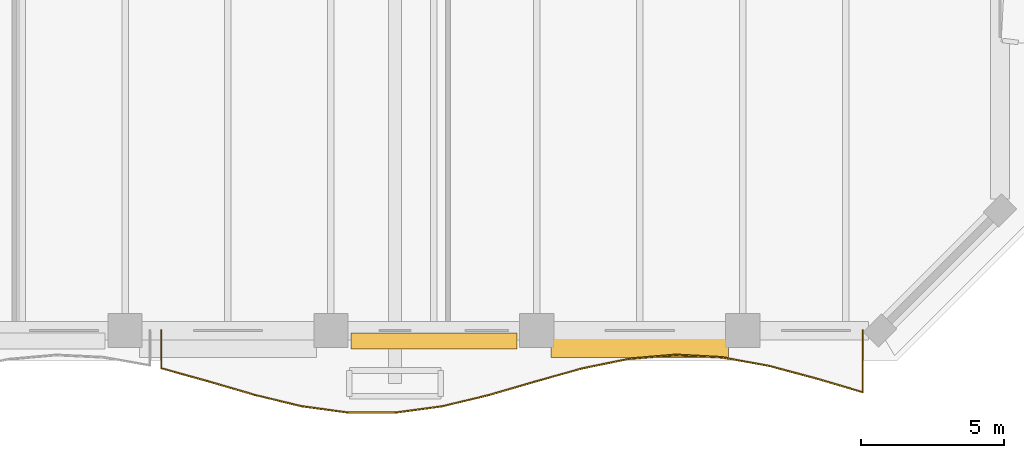
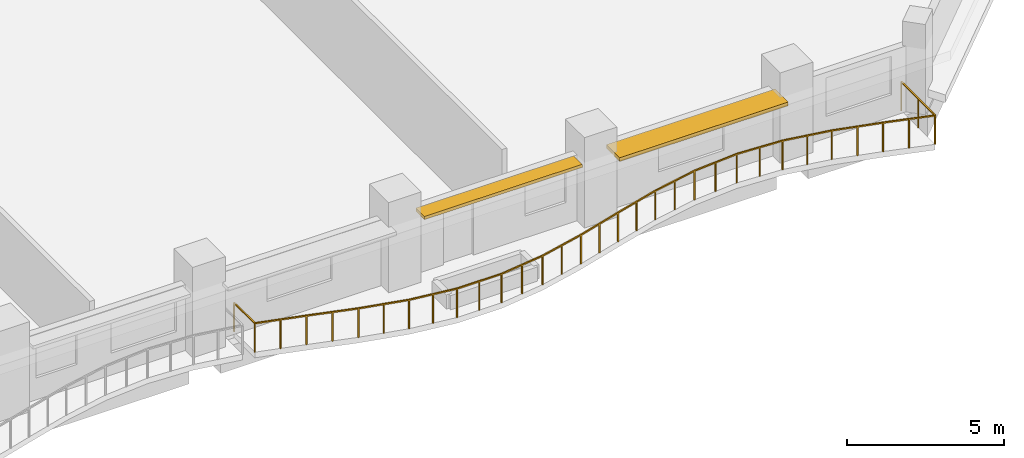
# One storey, part 13 of 14: 2 shading devices, 1 railing.
"""IFC4 building model written with IfcOpenShell, lengths in metres."""

from ifc_helpers import new_model, si_unit, direction, frame, origin, origin_2d, place, context, subcontext, project, spatial, rectangle, extrude, material, layer, layer_set, type_object, element, save


model = new_model("IFC4")

# Units and contexts
model_context = context("Model", 3, precision=1e-05, world=origin(), true_north=direction((0.0, 1.0)))
body_context = subcontext(model_context, "Body", "Model", "MODEL_VIEW")
ifc_project = project(units=[si_unit("LENGTHUNIT", "METRE"), si_unit("AREAUNIT", "SQUARE_METRE"), si_unit("VOLUMEUNIT", "CUBIC_METRE"), si_unit("PLANEANGLEUNIT", "RADIAN"), si_unit("MASSUNIT", "GRAM", prefix="KILO")], contexts=[model_context])

# Site, building, storey
site_placement = place(None, origin())
site = spatial("IfcSite", under=ifc_project, at=site_placement, CompositionType="ELEMENT")
building_placement = place(site_placement, origin())
building = spatial("IfcBuilding", under=site, at=building_placement, Name="Kaelvorn Grand Hotel", CompositionType="ELEMENT")
storey_placement = place(building_placement, frame((0.0, 0.0, 126.800048828125)))
storey = spatial("IfcBuildingStorey", under=building, at=storey_placement, Name="L30", CompositionType="ELEMENT", Elevation=126.800048828125)

# Railing
ifc_material_1 = material(Name="Stainless Steel", Category="steel")
railing_type = type_object("IfcRailingType", Name="RL-BALC-1150", PredefinedType="BALUSTRADE", material=ifc_material_1)
railing_placement = place(storey_placement, frame((54.666748046875, 0.0, 0.0)))
element("IfcRailing", 1, at=railing_placement, inside=storey, type_object=railing_type, Name="L30 Scalloped Wave Balcony Balustrade GR1-3", PredefinedType="BALUSTRADE", context=body_context, shape_type="SweptSolid", body=[
    extrude(rectangle(XDim=0.048095703125, YDim=0.048095703125, at=origin_2d()), frame((0.0, 0.0, 1.1259765625), z_axis=(0.0, -1.0, 0.0), x_axis=(1.0, 0.0, 0.0)), (0.0, 0.0, 1.0), 1.318359375),
    extrude(rectangle(XDim=0.048095703125, YDim=0.048095703125, at=origin_2d()), frame((0.0, -1.318359375, 1.1259765625), z_axis=(0.963251690304, -0.268600411627, 0.0), x_axis=(0.268600411627, 0.963251690304, 0.0)), (0.0, 0.0, 1.0), 1.697998046875),
    extrude(rectangle(XDim=0.048095703125, YDim=0.048095703125, at=origin_2d()), frame((1.635498046875, -1.7744140625, 1.1259765625), z_axis=(0.959763780104, -0.280808629498, 0.0), x_axis=(0.280808629498, 0.959763780104, 0.0)), (0.0, 0.0, 1.0), 1.7041015625),
    extrude(rectangle(XDim=0.048095703125, YDim=0.048095703125, at=origin_2d()), frame((3.27099609375, -2.2529296875, 1.1259765625), z_axis=(0.972148369978, -0.234366266236, 0.0), x_axis=(0.234366266236, 0.972148369978, 0.0)), (0.0, 0.0, 1.0), 1.682373046875),
    extrude(rectangle(XDim=0.048095703125, YDim=0.048095703125, at=origin_2d()), frame((4.906494140625, -2.647216796875, 1.1259765625), z_axis=(0.990842762627, -0.13502081228, 0.0), x_axis=(0.13502081228, 0.990842762627, 0.0)), (0.0, 0.0, 1.0), 1.65087890625),
    extrude(rectangle(XDim=0.048095703125, YDim=0.048095703125, at=origin_2d()), frame((6.542236328125, -2.8701171875, 1.1259765625), z_axis=(0.999999286934, -0.001194207239, 0.0), x_axis=(0.001194207239, 0.999999286934, 0.0)), (0.0, 0.0, 1.0), 1.635498046875),
    extrude(rectangle(XDim=0.048095703125, YDim=0.048095703125, at=origin_2d()), frame((8.177734375, -2.8720703125, 1.1259765625), z_axis=(0.991115126173, 0.133006791824, 0.0), x_axis=(-0.133006791824, 0.991115126173, 0.0)), (0.0, 0.0, 1.0), 1.650146484375),
    extrude(rectangle(XDim=0.048095703125, YDim=0.048095703125, at=origin_2d()), frame((9.813232421875, -2.652587890625, 1.1259765625), z_axis=(0.972412331171, 0.233268639527, 0.0), x_axis=(-0.233268639527, 0.972412331171, 0.0)), (0.0, 0.0, 1.0), 1.681884765625),
    extrude(rectangle(XDim=0.048095703125, YDim=0.048095703125, at=origin_2d()), frame((11.44873046875, -2.26025390625, 1.1259765625), z_axis=(0.959890814744, 0.280374078277, 0.0), x_axis=(-0.280374078277, 0.959890814744, 0.0)), (0.0, 0.0, 1.0), 1.7041015625),
    extrude(rectangle(XDim=0.048095703125, YDim=0.048095703125, at=origin_2d()), frame((13.08447265625, -1.782470703125, 1.1259765625), z_axis=(0.963065481096, 0.269267300506, 0.0), x_axis=(-0.269267300506, 0.963065481096, 0.0)), (0.0, 0.0, 1.0), 1.6982421875),
    extrude(rectangle(XDim=0.048095703125, YDim=0.048095703125, at=origin_2d()), frame((14.719970703125, -1.3251953125, 1.1259765625), z_axis=(0.979635901777, 0.200782220203, 0.0), x_axis=(-0.200782220203, 0.979635901777, 0.0)), (0.0, 0.0, 1.0), 1.66943359375),
    extrude(rectangle(XDim=0.048095703125, YDim=0.048095703125, at=origin_2d()), frame((16.35546875, -0.989990234375, 1.1259765625), z_axis=(0.996424697857, 0.084485628957, 0.0), x_axis=(-0.084485628957, 0.996424697857, 0.0)), (0.0, 0.0, 1.0), 1.641357421875),
    extrude(rectangle(XDim=0.048095703125, YDim=0.048095703125, at=origin_2d()), frame((17.990966796875, -0.851318359375, 1.1259765625), z_axis=(0.998527034958, -0.054256432412, 0.0), x_axis=(0.054256432412, 0.998527034958, 0.0)), (0.0, 0.0, 1.0), 1.637939453125),
    extrude(rectangle(XDim=0.048095703125, YDim=0.048095703125, at=origin_2d()), frame((19.62646484375, -0.940185546875, 1.1259765625), z_axis=(0.983977821186, -0.178290906704, 0.0), x_axis=(0.178290906704, 0.983977821186, 0.0)), (0.0, 0.0, 1.0), 1.662353515625),
    extrude(rectangle(XDim=0.048095703125, YDim=0.048095703125, at=origin_2d()), frame((21.26220703125, -1.236572265625, 1.1259765625), z_axis=(0.965925524936, -0.258820169766, 0.0), x_axis=(0.258820169766, 0.965925524936, 0.0)), (0.0, 0.0, 1.0), 1.693115234375),
    extrude(rectangle(XDim=0.048095703125, YDim=0.048095703125, at=origin_2d()), frame((22.897705078125, -1.6748046875, 1.1259765625), z_axis=(0.959105197492, -0.283049854522, 0.0), x_axis=(0.283049854522, 0.959105197492, 0.0)), (0.0, 0.0, 1.0), 1.705322265625),
    extrude(rectangle(XDim=0.048095703125, YDim=0.048095703125, at=origin_2d()), frame((24.533203125, -2.157470703125, 1.1259765625), z_axis=(0.0, 1.0, 0.0), x_axis=(-1.0, 0.0, 0.0)), (0.0, 0.0, 1.0), 2.157470703125),
    extrude(rectangle(XDim=0.0419921875, YDim=0.0419921875, at=origin_2d()), origin(), (0.0, 0.0, 1.0), 1.101806640625),
    extrude(rectangle(XDim=0.0419921875, YDim=0.0419921875, at=origin_2d()), frame((0.0, -1.318359375, 0.0)), (0.0, 0.0, 1.0), 1.101806640625),
    extrude(rectangle(XDim=0.0419921875, YDim=0.0419921875, at=origin_2d()), frame((0.81787109375, -1.54638671875, 0.0)), (0.0, 0.0, 1.0), 1.101806640625),
    extrude(rectangle(XDim=0.0419921875, YDim=0.0419921875, at=origin_2d()), frame((1.635498046875, -1.7744140625, 0.0)), (0.0, 0.0, 1.0), 1.101806640625),
    extrude(rectangle(XDim=0.0419921875, YDim=0.0419921875, at=origin_2d()), frame((2.453125, -2.013671875, 0.0)), (0.0, 0.0, 1.0), 1.101806640625),
    extrude(rectangle(XDim=0.0419921875, YDim=0.0419921875, at=origin_2d()), frame((3.27099609375, -2.2529296875, 0.0)), (0.0, 0.0, 1.0), 1.101806640625),
    extrude(rectangle(XDim=0.0419921875, YDim=0.0419921875, at=origin_2d()), frame((4.0888671875, -2.4501953125, 0.0)), (0.0, 0.0, 1.0), 1.101806640625),
    extrude(rectangle(XDim=0.0419921875, YDim=0.0419921875, at=origin_2d()), frame((4.906494140625, -2.647216796875, 0.0)), (0.0, 0.0, 1.0), 1.101806640625),
    extrude(rectangle(XDim=0.0419921875, YDim=0.0419921875, at=origin_2d()), frame((5.724365234375, -2.7587890625, 0.0)), (0.0, 0.0, 1.0), 1.101806640625),
    extrude(rectangle(XDim=0.0419921875, YDim=0.0419921875, at=origin_2d()), frame((6.542236328125, -2.8701171875, 0.0)), (0.0, 0.0, 1.0), 1.101806640625),
    extrude(rectangle(XDim=0.0419921875, YDim=0.0419921875, at=origin_2d()), frame((7.35986328125, -2.87109375, 0.0)), (0.0, 0.0, 1.0), 1.101806640625),
    extrude(rectangle(XDim=0.0419921875, YDim=0.0419921875, at=origin_2d()), frame((8.177734375, -2.8720703125, 0.0)), (0.0, 0.0, 1.0), 1.101806640625),
    extrude(rectangle(XDim=0.0419921875, YDim=0.0419921875, at=origin_2d()), frame((8.99560546875, -2.76220703125, 0.0)), (0.0, 0.0, 1.0), 1.101806640625),
    extrude(rectangle(XDim=0.0419921875, YDim=0.0419921875, at=origin_2d()), frame((9.813232421875, -2.652587890625, 0.0)), (0.0, 0.0, 1.0), 1.101806640625),
    extrude(rectangle(XDim=0.0419921875, YDim=0.0419921875, at=origin_2d()), frame((10.630859375, -2.45654296875, 0.0)), (0.0, 0.0, 1.0), 1.101806640625),
    extrude(rectangle(XDim=0.0419921875, YDim=0.0419921875, at=origin_2d()), frame((11.44873046875, -2.26025390625, 0.0)), (0.0, 0.0, 1.0), 1.101806640625),
    extrude(rectangle(XDim=0.0419921875, YDim=0.0419921875, at=origin_2d()), frame((12.2666015625, -2.021484375, 0.0)), (0.0, 0.0, 1.0), 1.101806640625),
    extrude(rectangle(XDim=0.0419921875, YDim=0.0419921875, at=origin_2d()), frame((13.08447265625, -1.782470703125, 0.0)), (0.0, 0.0, 1.0), 1.101806640625),
    extrude(rectangle(XDim=0.0419921875, YDim=0.0419921875, at=origin_2d()), frame((13.90234375, -1.5537109375, 0.0)), (0.0, 0.0, 1.0), 1.101806640625),
    extrude(rectangle(XDim=0.0419921875, YDim=0.0419921875, at=origin_2d()), frame((14.719970703125, -1.3251953125, 0.0)), (0.0, 0.0, 1.0), 1.101806640625),
    extrude(rectangle(XDim=0.0419921875, YDim=0.0419921875, at=origin_2d()), frame((15.53759765625, -1.15771484375, 0.0)), (0.0, 0.0, 1.0), 1.101806640625),
    extrude(rectangle(XDim=0.0419921875, YDim=0.0419921875, at=origin_2d()), frame((16.35546875, -0.989990234375, 0.0)), (0.0, 0.0, 1.0), 1.101806640625),
    extrude(rectangle(XDim=0.0419921875, YDim=0.0419921875, at=origin_2d()), frame((17.17333984375, -0.920654296875, 0.0)), (0.0, 0.0, 1.0), 1.101806640625),
    extrude(rectangle(XDim=0.0419921875, YDim=0.0419921875, at=origin_2d()), frame((17.990966796875, -0.851318359375, 0.0)), (0.0, 0.0, 1.0), 1.101806640625),
    extrude(rectangle(XDim=0.0419921875, YDim=0.0419921875, at=origin_2d()), frame((18.80859375, -0.895751953125, 0.0)), (0.0, 0.0, 1.0), 1.101806640625),
    extrude(rectangle(XDim=0.0419921875, YDim=0.0419921875, at=origin_2d()), frame((19.62646484375, -0.940185546875, 0.0)), (0.0, 0.0, 1.0), 1.101806640625),
    extrude(rectangle(XDim=0.0419921875, YDim=0.0419921875, at=origin_2d()), frame((20.4443359375, -1.08837890625, 0.0)), (0.0, 0.0, 1.0), 1.101806640625),
    extrude(rectangle(XDim=0.0419921875, YDim=0.0419921875, at=origin_2d()), frame((21.26220703125, -1.236572265625, 0.0)), (0.0, 0.0, 1.0), 1.101806640625),
    extrude(rectangle(XDim=0.0419921875, YDim=0.0419921875, at=origin_2d()), frame((22.080078125, -1.45556640625, 0.0)), (0.0, 0.0, 1.0), 1.101806640625),
    extrude(rectangle(XDim=0.0419921875, YDim=0.0419921875, at=origin_2d()), frame((22.897705078125, -1.6748046875, 0.0)), (0.0, 0.0, 1.0), 1.101806640625),
    extrude(rectangle(XDim=0.0419921875, YDim=0.0419921875, at=origin_2d()), frame((23.71533203125, -1.916015625, 0.0)), (0.0, 0.0, 1.0), 1.101806640625),
    extrude(rectangle(XDim=0.0419921875, YDim=0.0419921875, at=origin_2d()), frame((24.533203125, -2.157470703125, 0.0)), (0.0, 0.0, 1.0), 1.101806640625),
    extrude(rectangle(XDim=0.0419921875, YDim=0.0419921875, at=origin_2d()), frame((24.533203125, -1.07861328125, 0.0)), (0.0, 0.0, 1.0), 1.101806640625),
    extrude(rectangle(XDim=0.0419921875, YDim=0.0419921875, at=origin_2d()), frame((24.533203125, 0.0, 0.0)), (0.0, 0.0, 1.0), 1.101806640625),
])

# Shading devices
ifc_material_2 = material(Name="Precast concrete C45/55", Category="concrete")
ifc_layer_1 = layer(ifc_material_2, 0.1201171875)
ifc_layer_set_1 = layer_set([ifc_layer_1], Name="Precast concrete C45/55")
shading_device_type_1 = type_object("IfcShadingDeviceType", Name="SHD-SUNSHADE-550", PredefinedType="USERDEFINED", material=ifc_layer_set_1)
shading_device_1_placement = place(storey_placement, frame((64.199951171875, -0.364990234375, 2.419921875), z_axis=(0.0, 0.0, 1.0), x_axis=(1.0, 0.0, 0.0)))
element("IfcShadingDevice", 2, at=shading_device_1_placement, inside=storey, type_object=shading_device_type_1, Name="L30 Horizontal Concrete Sunshade Band SS-09", ObjectType="SUNSHADE", PredefinedType="USERDEFINED", context=body_context, shape_type="SweptSolid", body=[
    extrude(rectangle(XDim=5.800048828125, YDim=0.550048828125, at=origin_2d()), origin(), (0.0, 0.0, 1.0), 0.1201171875),
])
ifc_layer_2 = layer(ifc_material_2, 0.139892578125)
ifc_layer_set_2 = layer_set([ifc_layer_2], Name="Precast concrete C45/55")
shading_device_type_2 = type_object("IfcShadingDeviceType", Name="SHD-SUNSHADE-850", PredefinedType="USERDEFINED", material=ifc_layer_set_2)
shading_device_2_placement = place(storey_placement, frame((71.39990234375, -0.514892578125, 2.41015625), z_axis=(0.0, 0.0, 1.0), x_axis=(1.0, 0.0, 0.0)))
element("IfcShadingDevice", 3, at=shading_device_2_placement, inside=storey, type_object=shading_device_type_2, Name="L30 Horizontal Concrete Sunshade Band SS-10", ObjectType="SUNSHADE", PredefinedType="USERDEFINED", context=body_context, shape_type="SweptSolid", body=[
    extrude(rectangle(XDim=6.199951171875, YDim=0.85009765625, at=origin_2d()), origin(), (0.0, 0.0, 1.0), 0.139892578125),
])

save(model, "model.ifc")
